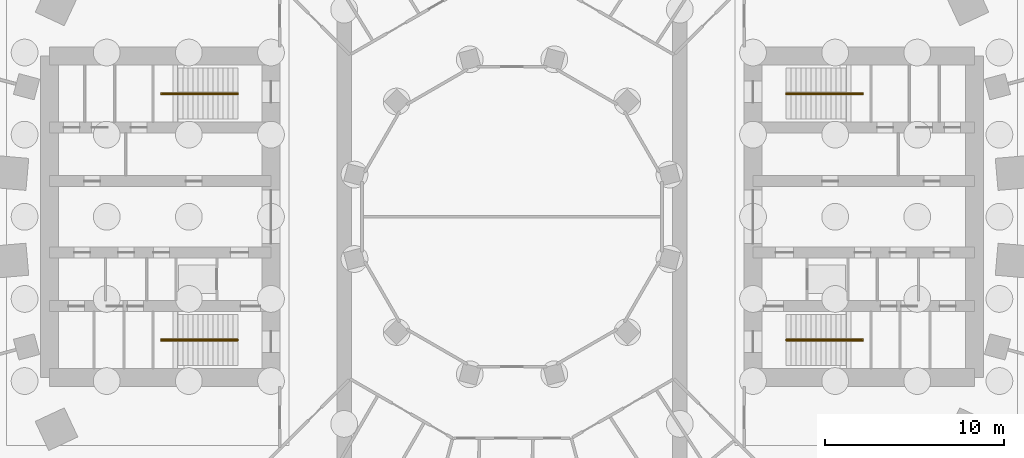
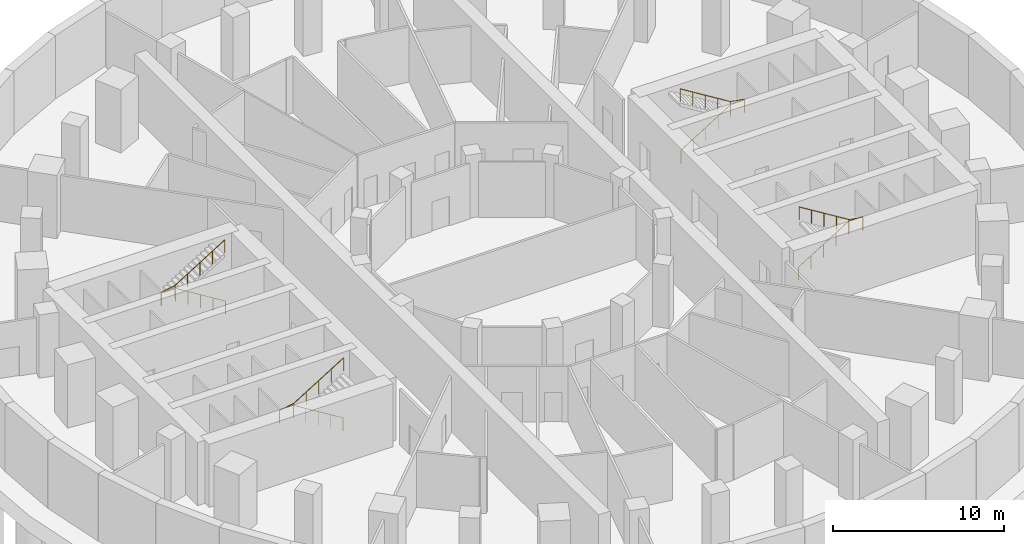
# One storey, part 9 of 10: 4 railings.
"""IFC4 building model written with IfcOpenShell, lengths in metres."""

import ifcopenshell
import ifcopenshell.guid

model = None  # the IFC model being written
_history = None  # IfcOwnerHistory: only IFC2X3 demands one
_inside = {}  # id of a spatial element -> (the spatial element, [elements in it])
_under = {}  # id of a project, library or spatial element -> (it, [spatial elements below it])
_declared = {}  # id of a project -> (the project, [libraries it declares])
_typed = {}  # id of a type object -> (the type object, [elements of that type])
_made_of = {}  # id of a material, layer set ... -> (it, [elements and type objects made of it])


def new_model(schema):
    """Start an empty IFC model of exactly this schema.

    Asked for "IFC4X3", IfcOpenShell would pick the latest addendum, in which some entities
    have other attributes; the version numbers below select the first issue.
    IFC2X3 requires an IfcOwnerHistory on every rooted entity: one is made here for all.
    """
    global model, _history
    if schema == "IFC4X3":
        model = ifcopenshell.file(schema_version=(4, 3, 0, 0))
    else:
        model = ifcopenshell.file(schema=schema)
    _inside.clear()
    _under.clear()
    _declared.clear()
    _typed.clear()
    _made_of.clear()
    _history = None
    if model.schema == "IFC2X3":
        org = make("IfcOrganization", Name="unknown")
        user = make(
            "IfcPersonAndOrganization",
            ThePerson=make("IfcPerson", FamilyName="unknown"),
            TheOrganization=org,
        )
        app = make(
            "IfcApplication",
            ApplicationDeveloper=org,
            Version="unknown",
            ApplicationFullName="unknown",
            ApplicationIdentifier="unknown",
        )
        _history = make(
            "IfcOwnerHistory",
            OwningUser=user,
            OwningApplication=app,
            ChangeAction="ADDED",
            CreationDate=0,
        )
    return model


def make(cls, **values):
    """One entity of the class cls with the attributes given. An attribute that is None is left unset."""
    return model.create_entity(
        cls, **{name: value for name, value in values.items() if value is not None}
    )


def rooted(cls, **values):
    """An entity with a GlobalId (a new one), such as an element, a storey or a relation."""
    return make(cls, GlobalId=ifcopenshell.guid.new(), OwnerHistory=_history, **values)


def si_unit(unit_type, name, prefix=None):
    """IfcSIUnit, for example si_unit("LENGTHUNIT", "METRE", prefix="MILLI")."""
    return make("IfcSIUnit", UnitType=unit_type, Prefix=prefix, Name=name)


def assignment(units):
    """IfcUnitAssignment: the units of a project."""
    return None if units is None else make("IfcUnitAssignment", Units=units)


def point(xyz):
    """IfcCartesianPoint."""
    return None if xyz is None else make("IfcCartesianPoint", Coordinates=xyz)


def direction(xyz):
    """IfcDirection."""
    return None if xyz is None else make("IfcDirection", DirectionRatios=xyz)


def frame(location, z_axis=None, x_axis=None):
    """IfcAxis2Placement3D, a coordinate frame: its origin and axes. An axis left out is left unset."""
    return make(
        "IfcAxis2Placement3D",
        Location=point(location),
        Axis=direction(z_axis),
        RefDirection=direction(x_axis),
    )


def frame_2d(location, x_axis=None):
    """IfcAxis2Placement2D, a coordinate frame in the plane: its origin and x axis."""
    return make(
        "IfcAxis2Placement2D", Location=point(location), RefDirection=direction(x_axis)
    )


def origin():
    """The frame at (0, 0, 0) with its axes left unset."""
    return frame((0.0, 0.0, 0.0))


def origin_2d():
    """The frame at (0, 0) in the plane with its x axis left unset."""
    return frame_2d((0.0, 0.0))


def place(relative_to, where):
    """IfcLocalPlacement: puts the frame where relative to a parent placement (None: the world)."""
    return make(
        "IfcLocalPlacement", PlacementRelTo=relative_to, RelativePlacement=where
    )


def context(
    kind, dimensions, precision=None, world=None, true_north=None, identifier=None
):
    """IfcGeometricRepresentationContext, for example the 3D "Model" context."""
    return make(
        "IfcGeometricRepresentationContext",
        ContextIdentifier=identifier,
        ContextType=kind,
        CoordinateSpaceDimension=dimensions,
        Precision=precision,
        WorldCoordinateSystem=world,
        TrueNorth=true_north,
    )


def subcontext(parent, identifier, kind, view, scale=None):
    """IfcGeometricRepresentationSubContext, for example "Body" below "Model"."""
    return make(
        "IfcGeometricRepresentationSubContext",
        ContextIdentifier=identifier,
        ContextType=kind,
        ParentContext=parent,
        TargetScale=scale,
        TargetView=view,
    )


def project(units=None, contexts=None):
    """IfcProject with its units and contexts."""
    return rooted(
        "IfcProject",
        Name="project",
        RepresentationContexts=contexts,
        UnitsInContext=assignment(units),
    )


def spatial(cls, under=None, at=None, **own):
    """A site, building, storey or space (cls), placed at a placement, below another one or the project."""
    s = rooted(cls, ObjectPlacement=at, **own)
    if under is not None:
        _under.setdefault(under.id(), (under, []))[1].append(s)
    return s


def profile(cls, at=None, kind="AREA", **sizes):
    """A parametric profile (cls). Its sizes go by their IFC names, for example OverallWidth=200.0."""
    return make(cls, ProfileType=kind, Position=at, **sizes)


def circle(**sizes):
    """IfcCircleProfileDef."""
    return profile("IfcCircleProfileDef", **sizes)


def extrude(swept, where, along, depth):
    """IfcExtrudedAreaSolid: the profile swept, set in the frame where, extruded along a direction by depth."""
    return make(
        "IfcExtrudedAreaSolid",
        SweptArea=swept,
        Position=where,
        ExtrudedDirection=direction(along),
        Depth=depth,
    )


def shape(context_of_items, identifier, shape_type, items):
    """IfcShapeRepresentation: the items that make up one representation, for example the "Body"."""
    return make(
        "IfcShapeRepresentation",
        ContextOfItems=context_of_items,
        RepresentationIdentifier=identifier,
        RepresentationType=shape_type,
        Items=items,
    )


def material(Name=None, Category=None):
    """IfcMaterial."""
    return make("IfcMaterial", Name=Name, Category=Category)


def made_of(thing, what):
    """Note that an element or type object is made of a material, layer set ...; save() writes the relation."""
    if what is not None:
        _made_of.setdefault(what.id(), (what, []))[1].append(thing)
    return thing


def type_object(cls, material=None, **own):
    """A type object (cls), such as IfcWallType, which elements share."""
    return made_of(rooted(cls, **own), material)


def element(
    cls,
    number,
    at=None,
    inside=None,
    cuts=None,
    type_object=None,
    material=None,
    context=None,
    identifier="Body",
    shape_type=None,
    held_by="IfcProductDefinitionShape",
    body=None,
    shapes=None,
    **own,
):
    """One element of the class cls, such as IfcWall. Its Tag is "e" and its number.

    at: its placement. inside: the storey or other place that contains it. cuts: it is an
    opening in that element (IfcRelVoidsElement). A single representation is given by context,
    identifier, shape_type and body (its items); several are given by shapes. held_by: the class
    of the entity that holds the representations. save() writes the other relations.
    """
    e = rooted(cls, Tag="e%d" % number, ObjectPlacement=at, **own)
    if body is not None:
        shapes = [shape(context, identifier, shape_type, body)]
    if shapes is not None:
        e.Representation = make(held_by, Representations=shapes)
    if inside is not None:
        _inside.setdefault(inside.id(), (inside, []))[1].append(e)
    if cuts is not None:
        rooted(
            "IfcRelVoidsElement", RelatingBuildingElement=cuts, RelatedOpeningElement=e
        )
    if type_object is not None:
        _typed.setdefault(type_object.id(), (type_object, []))[1].append(e)
    return made_of(e, material)


def aggregate(whole, parts):
    """IfcRelAggregates: a whole, such as a stair, and the parts it consists of."""
    return rooted("IfcRelAggregates", RelatingObject=whole, RelatedObjects=parts)


def save(model, path):
    """Write the relations noted so far, then the file.

    IfcRelAggregates (storeys below a building ...), IfcRelContainedInSpatialStructure (elements
    in a storey), IfcRelDefinesByType, IfcRelAssociatesMaterial and IfcRelDeclares: one each for
    every whole, place, type object, material and project.
    """
    for whole, parts in _under.values():
        aggregate(whole, parts)
    for where, things in _inside.values():
        rooted(
            "IfcRelContainedInSpatialStructure",
            RelatedElements=things,
            RelatingStructure=where,
        )
    for kind, things in _typed.values():
        rooted("IfcRelDefinesByType", RelatedObjects=things, RelatingType=kind)
    for what, things in _made_of.values():
        rooted("IfcRelAssociatesMaterial", RelatedObjects=things, RelatingMaterial=what)
    for by, libraries in _declared.values():
        rooted("IfcRelDeclares", RelatingContext=by, RelatedDefinitions=libraries)
    model.write(path)


model = new_model("IFC4")

# Units and contexts
model_context = context("Model", 3, precision=1e-05, world=origin(), true_north=direction((0.0, 1.0)))
body_context = subcontext(model_context, "Body", "Model", "MODEL_VIEW")
ifc_project = project(units=[si_unit("LENGTHUNIT", "METRE"), si_unit("AREAUNIT", "SQUARE_METRE"), si_unit("VOLUMEUNIT", "CUBIC_METRE"), si_unit("PLANEANGLEUNIT", "RADIAN"), si_unit("MASSUNIT", "GRAM", prefix="KILO")], contexts=[model_context])

# Site, building, storey
site_placement = place(None, origin())
site = spatial("IfcSite", under=ifc_project, at=site_placement, CompositionType="ELEMENT")
building_placement = place(site_placement, origin())
building = spatial("IfcBuilding", under=site, at=building_placement, Name="Saqina Gate Tower", CompositionType="ELEMENT")
storey_placement = place(building_placement, frame((0.0, 0.0, -9.0)))
storey = spatial("IfcBuildingStorey", under=building, at=storey_placement, Name="B2", CompositionType="ELEMENT", Elevation=-9.0)

# Railings
ifc_material = material(Name="Stainless steel", Category="steel")
railing_type = type_object("IfcRailingType", Name="STAIR HANDRAIL", PredefinedType="HANDRAIL", material=ifc_material)
railing_1_placement = place(storey_placement, frame((15.35009765625, 6.86669921875, 0.173095703125)))
element("IfcRailing", 1, at=railing_1_placement, inside=storey, type_object=railing_type, Name="EXIT STAIR 1 HANDRAIL", PredefinedType="HANDRAIL", context=body_context, shape_type="SweptSolid", body=[
    extrude(circle(Radius=0.02392578125, at=origin_2d()), frame((0.0, 0.0, 0.92578125), z_axis=(0.850606129759, 0.0, 0.525803396734), x_axis=(0.0, 1.0, 0.0)), (0.0, 0.0, 1.0), 3.949951171875),
    extrude(circle(Radius=0.02392578125, at=origin_2d()), frame((3.35986328125, 0.0, 3.0029296875), z_axis=(1.0, 0.0, 0.0), x_axis=(0.0, 1.0, 0.0)), (0.0, 0.0, 1.0), 0.949951171875),
    extrude(circle(Radius=0.02392578125, at=origin_2d()), frame((4.309814453125, 0.0, 3.0029296875), z_axis=(0.0, 1.0, 0.0), x_axis=(-1.0, 0.0, 0.0)), (0.0, 0.0, 1.0), 0.066650390625),
    extrude(circle(Radius=0.02392578125, at=origin_2d()), frame((4.309814453125, 0.066650390625, 3.0029296875), z_axis=(-0.983801064867, 0.0, 0.17926367386), x_axis=(0.0, -1.0, 0.0)), (0.0, 0.0, 1.0), 0.965576171875),
    extrude(circle(Radius=0.02392578125, at=origin_2d()), frame((3.35986328125, 0.066650390625, 3.17578125), z_axis=(-0.850606129759, 0.0, 0.525803396734), x_axis=(0.0, -1.0, 0.0)), (0.0, 0.0, 1.0), 3.949951171875),
    extrude(circle(Radius=0.02099609375, at=origin_2d()), origin(), (0.0, 0.0, 1.0), 0.90185546875),
    extrude(circle(Radius=0.02099609375, at=origin_2d()), frame((0.83984375, 0.0, 0.519287109375)), (0.0, 0.0, 1.0), 0.90185546875),
    extrude(circle(Radius=0.02099609375, at=origin_2d()), frame((1.679931640625, 0.0, 1.03857421875)), (0.0, 0.0, 1.0), 0.90185546875),
    extrude(circle(Radius=0.02099609375, at=origin_2d()), frame((2.52001953125, 0.0, 1.5576171875)), (0.0, 0.0, 1.0), 0.90185546875),
    extrude(circle(Radius=0.02099609375, at=origin_2d()), frame((3.35986328125, 0.0, 2.076904296875)), (0.0, 0.0, 1.0), 0.90185546875),
    extrude(circle(Radius=0.02099609375, at=origin_2d()), frame((4.309814453125, 0.0, 2.076904296875)), (0.0, 0.0, 1.0), 0.90185546875),
    extrude(circle(Radius=0.02099609375, at=origin_2d()), frame((4.309814453125, 0.066650390625, 2.076904296875)), (0.0, 0.0, 1.0), 0.90185546875),
    extrude(circle(Radius=0.02099609375, at=origin_2d()), frame((3.35986328125, 0.066650390625, 2.25)), (0.0, 0.0, 1.0), 0.90185546875),
    extrude(circle(Radius=0.02099609375, at=origin_2d()), frame((2.52001953125, 0.066650390625, 2.769287109375)), (0.0, 0.0, 1.0), 0.90185546875),
    extrude(circle(Radius=0.02099609375, at=origin_2d()), frame((1.679931640625, 0.066650390625, 3.28857421875)), (0.0, 0.0, 1.0), 0.90185546875),
    extrude(circle(Radius=0.02099609375, at=origin_2d()), frame((0.83984375, 0.066650390625, 3.8076171875)), (0.0, 0.0, 1.0), 0.90185546875),
    extrude(circle(Radius=0.02099609375, at=origin_2d()), frame((0.0, 0.066650390625, 4.326904296875)), (0.0, 0.0, 1.0), 0.90185546875),
])
railing_2_placement = place(storey_placement, frame((15.35009765625, -6.86669921875, 0.173095703125)))
element("IfcRailing", 2, at=railing_2_placement, inside=storey, type_object=railing_type, Name="EXIT STAIR 2 HANDRAIL", PredefinedType="HANDRAIL", context=body_context, shape_type="SweptSolid", body=[
    extrude(circle(Radius=0.02392578125, at=origin_2d()), frame((0.0, 0.0, 0.92578125), z_axis=(0.850606129759, 0.0, 0.525803396734), x_axis=(0.0, 1.0, 0.0)), (0.0, 0.0, 1.0), 3.949951171875),
    extrude(circle(Radius=0.02392578125, at=origin_2d()), frame((3.35986328125, 0.0, 3.0029296875), z_axis=(1.0, 0.0, 0.0), x_axis=(0.0, 1.0, 0.0)), (0.0, 0.0, 1.0), 0.949951171875),
    extrude(circle(Radius=0.02392578125, at=origin_2d()), frame((4.309814453125, 0.0, 3.0029296875), z_axis=(0.0, -1.0, 0.0), x_axis=(1.0, 0.0, 0.0)), (0.0, 0.0, 1.0), 0.066650390625),
    extrude(circle(Radius=0.02392578125, at=origin_2d()), frame((4.309814453125, -0.066650390625, 3.0029296875), z_axis=(-0.983801064867, 0.0, 0.17926367386), x_axis=(0.0, -1.0, 0.0)), (0.0, 0.0, 1.0), 0.965576171875),
    extrude(circle(Radius=0.02392578125, at=origin_2d()), frame((3.35986328125, -0.066650390625, 3.17578125), z_axis=(-0.850606129759, 0.0, 0.525803396734), x_axis=(0.0, -1.0, 0.0)), (0.0, 0.0, 1.0), 3.949951171875),
    extrude(circle(Radius=0.02099609375, at=origin_2d()), origin(), (0.0, 0.0, 1.0), 0.90185546875),
    extrude(circle(Radius=0.02099609375, at=origin_2d()), frame((0.83984375, 0.0, 0.519287109375)), (0.0, 0.0, 1.0), 0.90185546875),
    extrude(circle(Radius=0.02099609375, at=origin_2d()), frame((1.679931640625, 0.0, 1.03857421875)), (0.0, 0.0, 1.0), 0.90185546875),
    extrude(circle(Radius=0.02099609375, at=origin_2d()), frame((2.52001953125, 0.0, 1.5576171875)), (0.0, 0.0, 1.0), 0.90185546875),
    extrude(circle(Radius=0.02099609375, at=origin_2d()), frame((3.35986328125, 0.0, 2.076904296875)), (0.0, 0.0, 1.0), 0.90185546875),
    extrude(circle(Radius=0.02099609375, at=origin_2d()), frame((4.309814453125, 0.0, 2.076904296875)), (0.0, 0.0, 1.0), 0.90185546875),
    extrude(circle(Radius=0.02099609375, at=origin_2d()), frame((4.309814453125, -0.066650390625, 2.076904296875)), (0.0, 0.0, 1.0), 0.90185546875),
    extrude(circle(Radius=0.02099609375, at=origin_2d()), frame((3.35986328125, -0.066650390625, 2.25)), (0.0, 0.0, 1.0), 0.90185546875),
    extrude(circle(Radius=0.02099609375, at=origin_2d()), frame((2.52001953125, -0.066650390625, 2.769287109375)), (0.0, 0.0, 1.0), 0.90185546875),
    extrude(circle(Radius=0.02099609375, at=origin_2d()), frame((1.679931640625, -0.066650390625, 3.28857421875)), (0.0, 0.0, 1.0), 0.90185546875),
    extrude(circle(Radius=0.02099609375, at=origin_2d()), frame((0.83984375, -0.066650390625, 3.8076171875)), (0.0, 0.0, 1.0), 0.90185546875),
    extrude(circle(Radius=0.02099609375, at=origin_2d()), frame((0.0, -0.066650390625, 4.326904296875)), (0.0, 0.0, 1.0), 0.90185546875),
])
railing_3_placement = place(storey_placement, frame((-15.35009765625, 6.86669921875, 0.173095703125)))
element("IfcRailing", 3, at=railing_3_placement, inside=storey, type_object=railing_type, Name="EXIT STAIR 3 HANDRAIL", PredefinedType="HANDRAIL", context=body_context, shape_type="SweptSolid", body=[
    extrude(circle(Radius=0.02392578125, at=origin_2d()), frame((0.0, 0.0, 0.92578125), z_axis=(-0.850606129759, 0.0, 0.525803396734), x_axis=(0.0, -1.0, 0.0)), (0.0, 0.0, 1.0), 3.949951171875),
    extrude(circle(Radius=0.02392578125, at=origin_2d()), frame((-3.35986328125, 0.0, 3.0029296875), z_axis=(-1.0, 0.0, 0.0), x_axis=(0.0, -1.0, 0.0)), (0.0, 0.0, 1.0), 0.949951171875),
    extrude(circle(Radius=0.02392578125, at=origin_2d()), frame((-4.309814453125, 0.0, 3.0029296875), z_axis=(0.0, 1.0, 0.0), x_axis=(-1.0, 0.0, 0.0)), (0.0, 0.0, 1.0), 0.066650390625),
    extrude(circle(Radius=0.02392578125, at=origin_2d()), frame((-4.309814453125, 0.066650390625, 3.0029296875), z_axis=(0.983801064867, 0.0, 0.17926367386), x_axis=(0.0, 1.0, 0.0)), (0.0, 0.0, 1.0), 0.965576171875),
    extrude(circle(Radius=0.02392578125, at=origin_2d()), frame((-3.35986328125, 0.066650390625, 3.17578125), z_axis=(0.850606129759, 0.0, 0.525803396734), x_axis=(0.0, 1.0, 0.0)), (0.0, 0.0, 1.0), 3.949951171875),
    extrude(circle(Radius=0.02099609375, at=origin_2d()), origin(), (0.0, 0.0, 1.0), 0.90185546875),
    extrude(circle(Radius=0.02099609375, at=origin_2d()), frame((-0.83984375, 0.0, 0.519287109375)), (0.0, 0.0, 1.0), 0.90185546875),
    extrude(circle(Radius=0.02099609375, at=origin_2d()), frame((-1.679931640625, 0.0, 1.03857421875)), (0.0, 0.0, 1.0), 0.90185546875),
    extrude(circle(Radius=0.02099609375, at=origin_2d()), frame((-2.52001953125, 0.0, 1.5576171875)), (0.0, 0.0, 1.0), 0.90185546875),
    extrude(circle(Radius=0.02099609375, at=origin_2d()), frame((-3.35986328125, 0.0, 2.076904296875)), (0.0, 0.0, 1.0), 0.90185546875),
    extrude(circle(Radius=0.02099609375, at=origin_2d()), frame((-4.309814453125, 0.0, 2.076904296875)), (0.0, 0.0, 1.0), 0.90185546875),
    extrude(circle(Radius=0.02099609375, at=origin_2d()), frame((-4.309814453125, 0.066650390625, 2.076904296875)), (0.0, 0.0, 1.0), 0.90185546875),
    extrude(circle(Radius=0.02099609375, at=origin_2d()), frame((-3.35986328125, 0.066650390625, 2.25)), (0.0, 0.0, 1.0), 0.90185546875),
    extrude(circle(Radius=0.02099609375, at=origin_2d()), frame((-2.52001953125, 0.066650390625, 2.769287109375)), (0.0, 0.0, 1.0), 0.90185546875),
    extrude(circle(Radius=0.02099609375, at=origin_2d()), frame((-1.679931640625, 0.066650390625, 3.28857421875)), (0.0, 0.0, 1.0), 0.90185546875),
    extrude(circle(Radius=0.02099609375, at=origin_2d()), frame((-0.83984375, 0.066650390625, 3.8076171875)), (0.0, 0.0, 1.0), 0.90185546875),
    extrude(circle(Radius=0.02099609375, at=origin_2d()), frame((0.0, 0.066650390625, 4.326904296875)), (0.0, 0.0, 1.0), 0.90185546875),
])
railing_4_placement = place(storey_placement, frame((-15.35009765625, -6.86669921875, 0.173095703125)))
element("IfcRailing", 4, at=railing_4_placement, inside=storey, type_object=railing_type, Name="EXIT STAIR 4 HANDRAIL", PredefinedType="HANDRAIL", context=body_context, shape_type="SweptSolid", body=[
    extrude(circle(Radius=0.02392578125, at=origin_2d()), frame((0.0, 0.0, 0.92578125), z_axis=(-0.850606129759, 0.0, 0.525803396734), x_axis=(0.0, -1.0, 0.0)), (0.0, 0.0, 1.0), 3.949951171875),
    extrude(circle(Radius=0.02392578125, at=origin_2d()), frame((-3.35986328125, 0.0, 3.0029296875), z_axis=(-1.0, 0.0, 0.0), x_axis=(0.0, -1.0, 0.0)), (0.0, 0.0, 1.0), 0.949951171875),
    extrude(circle(Radius=0.02392578125, at=origin_2d()), frame((-4.309814453125, 0.0, 3.0029296875), z_axis=(0.0, -1.0, 0.0), x_axis=(1.0, 0.0, 0.0)), (0.0, 0.0, 1.0), 0.066650390625),
    extrude(circle(Radius=0.02392578125, at=origin_2d()), frame((-4.309814453125, -0.066650390625, 3.0029296875), z_axis=(0.983801064867, 0.0, 0.17926367386), x_axis=(0.0, 1.0, 0.0)), (0.0, 0.0, 1.0), 0.965576171875),
    extrude(circle(Radius=0.02392578125, at=origin_2d()), frame((-3.35986328125, -0.066650390625, 3.17578125), z_axis=(0.850606129759, 0.0, 0.525803396734), x_axis=(0.0, 1.0, 0.0)), (0.0, 0.0, 1.0), 3.949951171875),
    extrude(circle(Radius=0.02099609375, at=origin_2d()), origin(), (0.0, 0.0, 1.0), 0.90185546875),
    extrude(circle(Radius=0.02099609375, at=origin_2d()), frame((-0.83984375, 0.0, 0.519287109375)), (0.0, 0.0, 1.0), 0.90185546875),
    extrude(circle(Radius=0.02099609375, at=origin_2d()), frame((-1.679931640625, 0.0, 1.03857421875)), (0.0, 0.0, 1.0), 0.90185546875),
    extrude(circle(Radius=0.02099609375, at=origin_2d()), frame((-2.52001953125, 0.0, 1.5576171875)), (0.0, 0.0, 1.0), 0.90185546875),
    extrude(circle(Radius=0.02099609375, at=origin_2d()), frame((-3.35986328125, 0.0, 2.076904296875)), (0.0, 0.0, 1.0), 0.90185546875),
    extrude(circle(Radius=0.02099609375, at=origin_2d()), frame((-4.309814453125, 0.0, 2.076904296875)), (0.0, 0.0, 1.0), 0.90185546875),
    extrude(circle(Radius=0.02099609375, at=origin_2d()), frame((-4.309814453125, -0.066650390625, 2.076904296875)), (0.0, 0.0, 1.0), 0.90185546875),
    extrude(circle(Radius=0.02099609375, at=origin_2d()), frame((-3.35986328125, -0.066650390625, 2.25)), (0.0, 0.0, 1.0), 0.90185546875),
    extrude(circle(Radius=0.02099609375, at=origin_2d()), frame((-2.52001953125, -0.066650390625, 2.769287109375)), (0.0, 0.0, 1.0), 0.90185546875),
    extrude(circle(Radius=0.02099609375, at=origin_2d()), frame((-1.679931640625, -0.066650390625, 3.28857421875)), (0.0, 0.0, 1.0), 0.90185546875),
    extrude(circle(Radius=0.02099609375, at=origin_2d()), frame((-0.83984375, -0.066650390625, 3.8076171875)), (0.0, 0.0, 1.0), 0.90185546875),
    extrude(circle(Radius=0.02099609375, at=origin_2d()), frame((0.0, -0.066650390625, 4.326904296875)), (0.0, 0.0, 1.0), 0.90185546875),
])

save(model, "model.ifc")
